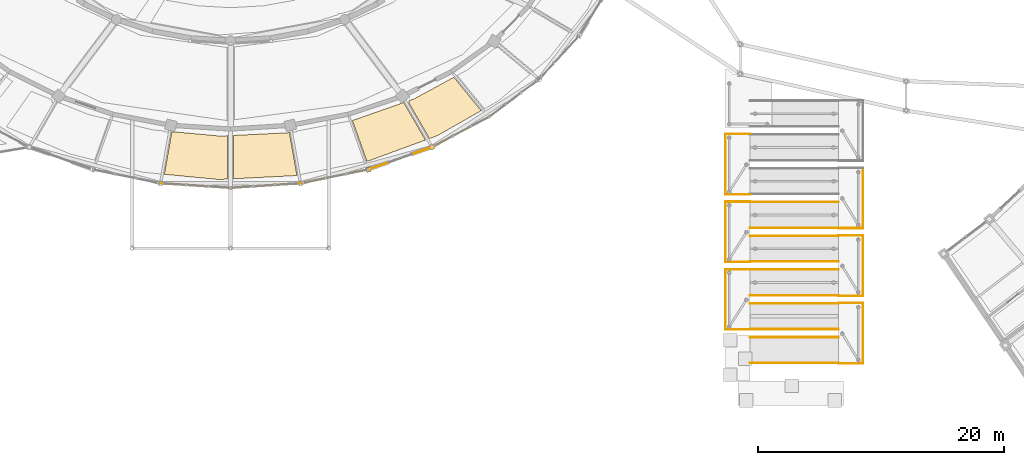
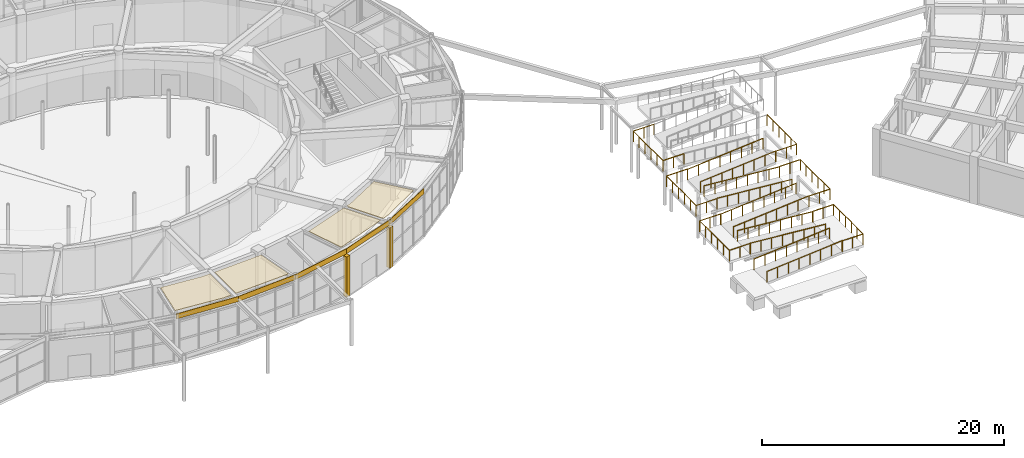
# One storey, part 101 of 108: 27 railings, 11 coverings.
"""IFC4 building model written with IfcOpenShell, lengths in metres."""

import ifcopenshell
import ifcopenshell.guid

model = None  # the IFC model being written
_history = None  # IfcOwnerHistory: only IFC2X3 demands one
_inside = {}  # id of a spatial element -> (the spatial element, [elements in it])
_under = {}  # id of a project, library or spatial element -> (it, [spatial elements below it])
_declared = {}  # id of a project -> (the project, [libraries it declares])
_typed = {}  # id of a type object -> (the type object, [elements of that type])
_made_of = {}  # id of a material, layer set ... -> (it, [elements and type objects made of it])


def new_model(schema):
    """Start an empty IFC model of exactly this schema.

    Asked for "IFC4X3", IfcOpenShell would pick the latest addendum, in which some entities
    have other attributes; the version numbers below select the first issue.
    IFC2X3 requires an IfcOwnerHistory on every rooted entity: one is made here for all.
    """
    global model, _history
    if schema == "IFC4X3":
        model = ifcopenshell.file(schema_version=(4, 3, 0, 0))
    else:
        model = ifcopenshell.file(schema=schema)
    _inside.clear()
    _under.clear()
    _declared.clear()
    _typed.clear()
    _made_of.clear()
    _history = None
    if model.schema == "IFC2X3":
        org = make("IfcOrganization", Name="unknown")
        user = make(
            "IfcPersonAndOrganization",
            ThePerson=make("IfcPerson", FamilyName="unknown"),
            TheOrganization=org,
        )
        app = make(
            "IfcApplication",
            ApplicationDeveloper=org,
            Version="unknown",
            ApplicationFullName="unknown",
            ApplicationIdentifier="unknown",
        )
        _history = make(
            "IfcOwnerHistory",
            OwningUser=user,
            OwningApplication=app,
            ChangeAction="ADDED",
            CreationDate=0,
        )
    return model


def make(cls, **values):
    """One entity of the class cls with the attributes given. An attribute that is None is left unset."""
    return model.create_entity(
        cls, **{name: value for name, value in values.items() if value is not None}
    )


def rooted(cls, **values):
    """An entity with a GlobalId (a new one), such as an element, a storey or a relation."""
    return make(cls, GlobalId=ifcopenshell.guid.new(), OwnerHistory=_history, **values)


def si_unit(unit_type, name, prefix=None):
    """IfcSIUnit, for example si_unit("LENGTHUNIT", "METRE", prefix="MILLI")."""
    return make("IfcSIUnit", UnitType=unit_type, Prefix=prefix, Name=name)


def assignment(units):
    """IfcUnitAssignment: the units of a project."""
    return None if units is None else make("IfcUnitAssignment", Units=units)


def point(xyz):
    """IfcCartesianPoint."""
    return None if xyz is None else make("IfcCartesianPoint", Coordinates=xyz)


def direction(xyz):
    """IfcDirection."""
    return None if xyz is None else make("IfcDirection", DirectionRatios=xyz)


def frame(location, z_axis=None, x_axis=None):
    """IfcAxis2Placement3D, a coordinate frame: its origin and axes. An axis left out is left unset."""
    return make(
        "IfcAxis2Placement3D",
        Location=point(location),
        Axis=direction(z_axis),
        RefDirection=direction(x_axis),
    )


def frame_2d(location, x_axis=None):
    """IfcAxis2Placement2D, a coordinate frame in the plane: its origin and x axis."""
    return make(
        "IfcAxis2Placement2D", Location=point(location), RefDirection=direction(x_axis)
    )


def origin():
    """The frame at (0, 0, 0) with its axes left unset."""
    return frame((0.0, 0.0, 0.0))


def origin_2d():
    """The frame at (0, 0) in the plane with its x axis left unset."""
    return frame_2d((0.0, 0.0))


def place(relative_to, where):
    """IfcLocalPlacement: puts the frame where relative to a parent placement (None: the world)."""
    return make(
        "IfcLocalPlacement", PlacementRelTo=relative_to, RelativePlacement=where
    )


def context(
    kind, dimensions, precision=None, world=None, true_north=None, identifier=None
):
    """IfcGeometricRepresentationContext, for example the 3D "Model" context."""
    return make(
        "IfcGeometricRepresentationContext",
        ContextIdentifier=identifier,
        ContextType=kind,
        CoordinateSpaceDimension=dimensions,
        Precision=precision,
        WorldCoordinateSystem=world,
        TrueNorth=true_north,
    )


def subcontext(parent, identifier, kind, view, scale=None):
    """IfcGeometricRepresentationSubContext, for example "Body" below "Model"."""
    return make(
        "IfcGeometricRepresentationSubContext",
        ContextIdentifier=identifier,
        ContextType=kind,
        ParentContext=parent,
        TargetScale=scale,
        TargetView=view,
    )


def project(units=None, contexts=None):
    """IfcProject with its units and contexts."""
    return rooted(
        "IfcProject",
        Name="project",
        RepresentationContexts=contexts,
        UnitsInContext=assignment(units),
    )


def spatial(cls, under=None, at=None, **own):
    """A site, building, storey or space (cls), placed at a placement, below another one or the project."""
    s = rooted(cls, ObjectPlacement=at, **own)
    if under is not None:
        _under.setdefault(under.id(), (under, []))[1].append(s)
    return s


def polyline(points):
    """IfcPolyline through the points."""
    return make("IfcPolyline", Points=[point(p) for p in points])


def profile(cls, at=None, kind="AREA", **sizes):
    """A parametric profile (cls). Its sizes go by their IFC names, for example OverallWidth=200.0."""
    return make(cls, ProfileType=kind, Position=at, **sizes)


def rectangle(**sizes):
    """IfcRectangleProfileDef."""
    return profile("IfcRectangleProfileDef", **sizes)


def circle(**sizes):
    """IfcCircleProfileDef."""
    return profile("IfcCircleProfileDef", **sizes)


def outline(outer, holes=None, kind="AREA"):
    """IfcArbitraryClosedProfileDef: a profile drawn as a closed curve; with holes, ...WithVoids."""
    if holes is None:
        return make("IfcArbitraryClosedProfileDef", ProfileType=kind, OuterCurve=outer)
    return make(
        "IfcArbitraryProfileDefWithVoids",
        ProfileType=kind,
        OuterCurve=outer,
        InnerCurves=holes,
    )


def extrude(swept, where, along, depth):
    """IfcExtrudedAreaSolid: the profile swept, set in the frame where, extruded along a direction by depth."""
    return make(
        "IfcExtrudedAreaSolid",
        SweptArea=swept,
        Position=where,
        ExtrudedDirection=direction(along),
        Depth=depth,
    )


def shape(context_of_items, identifier, shape_type, items):
    """IfcShapeRepresentation: the items that make up one representation, for example the "Body"."""
    return make(
        "IfcShapeRepresentation",
        ContextOfItems=context_of_items,
        RepresentationIdentifier=identifier,
        RepresentationType=shape_type,
        Items=items,
    )


def material(Name=None, Category=None):
    """IfcMaterial."""
    return make("IfcMaterial", Name=Name, Category=Category)


def layer(
    of_material, thickness, ventilated=None, Name=None, Category=None, Priority=None
):
    """IfcMaterialLayer: one layer of a wall or slab, of a material (None: an air gap)."""
    return make(
        "IfcMaterialLayer",
        Material=of_material,
        LayerThickness=thickness,
        IsVentilated=ventilated,
        Name=Name,
        Category=Category,
        Priority=Priority,
    )


def layer_set(layers, Name=None):
    """IfcMaterialLayerSet."""
    return make("IfcMaterialLayerSet", MaterialLayers=layers, LayerSetName=Name)


def made_of(thing, what):
    """Note that an element or type object is made of a material, layer set ...; save() writes the relation."""
    if what is not None:
        _made_of.setdefault(what.id(), (what, []))[1].append(thing)
    return thing


def type_object(cls, material=None, **own):
    """A type object (cls), such as IfcWallType, which elements share."""
    return made_of(rooted(cls, **own), material)


def element(
    cls,
    number,
    at=None,
    inside=None,
    cuts=None,
    type_object=None,
    material=None,
    context=None,
    identifier="Body",
    shape_type=None,
    held_by="IfcProductDefinitionShape",
    body=None,
    shapes=None,
    **own,
):
    """One element of the class cls, such as IfcWall. Its Tag is "e" and its number.

    at: its placement. inside: the storey or other place that contains it. cuts: it is an
    opening in that element (IfcRelVoidsElement). A single representation is given by context,
    identifier, shape_type and body (its items); several are given by shapes. held_by: the class
    of the entity that holds the representations. save() writes the other relations.
    """
    e = rooted(cls, Tag="e%d" % number, ObjectPlacement=at, **own)
    if body is not None:
        shapes = [shape(context, identifier, shape_type, body)]
    if shapes is not None:
        e.Representation = make(held_by, Representations=shapes)
    if inside is not None:
        _inside.setdefault(inside.id(), (inside, []))[1].append(e)
    if cuts is not None:
        rooted(
            "IfcRelVoidsElement", RelatingBuildingElement=cuts, RelatedOpeningElement=e
        )
    if type_object is not None:
        _typed.setdefault(type_object.id(), (type_object, []))[1].append(e)
    return made_of(e, material)


def aggregate(whole, parts):
    """IfcRelAggregates: a whole, such as a stair, and the parts it consists of."""
    return rooted("IfcRelAggregates", RelatingObject=whole, RelatedObjects=parts)


def save(model, path):
    """Write the relations noted so far, then the file.

    IfcRelAggregates (storeys below a building ...), IfcRelContainedInSpatialStructure (elements
    in a storey), IfcRelDefinesByType, IfcRelAssociatesMaterial and IfcRelDeclares: one each for
    every whole, place, type object, material and project.
    """
    for whole, parts in _under.values():
        aggregate(whole, parts)
    for where, things in _inside.values():
        rooted(
            "IfcRelContainedInSpatialStructure",
            RelatedElements=things,
            RelatingStructure=where,
        )
    for kind, things in _typed.values():
        rooted("IfcRelDefinesByType", RelatedObjects=things, RelatingType=kind)
    for what, things in _made_of.values():
        rooted("IfcRelAssociatesMaterial", RelatedObjects=things, RelatingMaterial=what)
    for by, libraries in _declared.values():
        rooted("IfcRelDeclares", RelatingContext=by, RelatedDefinitions=libraries)
    model.write(path)


model = new_model("IFC4")

# Units and contexts
model_context = context("Model", 3, precision=1e-05, world=origin(), true_north=direction((0.0, 1.0)))
body_context = subcontext(model_context, "Body", "Model", "MODEL_VIEW")
ifc_project = project(units=[si_unit("LENGTHUNIT", "METRE"), si_unit("AREAUNIT", "SQUARE_METRE"), si_unit("VOLUMEUNIT", "CUBIC_METRE"), si_unit("PLANEANGLEUNIT", "RADIAN"), si_unit("MASSUNIT", "GRAM", prefix="KILO")], contexts=[model_context])

# Site, building, storey
site_placement = place(None, origin())
site = spatial("IfcSite", under=ifc_project, at=site_placement, CompositionType="ELEMENT")
building_placement = place(site_placement, origin())
building = spatial("IfcBuilding", under=site, at=building_placement, Name="Tarnveldt Headland Concert Hall", CompositionType="ELEMENT")
storey_placement = place(building_placement, origin())
storey = spatial("IfcBuildingStorey", under=building, at=storey_placement, Name="L00", CompositionType="ELEMENT", Elevation=0.0)

# Coverings
ifc_material_1 = material(Name="Micro-perforated mvule acoustic ceiling panel", Category="timber")
ifc_layer_1 = layer(ifc_material_1, 0.050048828125, Name="Micro-perforated mvule acoustic ceiling panel", Category="timber")
ifc_layer_set_1 = layer_set([ifc_layer_1], Name="Micro-perforated mvule acoustic ceiling panel")
covering_type_1 = type_object("IfcCoveringType", Name="CV-CEIL50", PredefinedType="CEILING", material=ifc_layer_set_1)
covering_1_placement = place(storey_placement, frame((0.0, 0.0, 4.469970703125)))
element("IfcCovering", 1, at=covering_1_placement, inside=storey, type_object=covering_type_1, Name="Acoustic mvule ceiling L00-12-16", PredefinedType="CEILING", context=body_context, shape_type="SweptSolid", body=[
    extrude(outline(polyline([(78.821533203125, 34.27880859375), (82.64111328125, 33.9296875), (82.666259765625, 33.92919921875), (83.27001953125, 33.95849609375), (83.27001953125, 30.427734375), (82.5458984375, 30.39111328125), (78.1123046875, 30.8154296875), (78.72314453125, 34.27880859375), (78.821533203125, 34.27880859375)])), origin(), (0.0, 0.0, 1.0), 0.050048828125),
])
covering_2_placement = place(storey_placement, frame((0.0, 0.0, 4.469970703125)))
element("IfcCovering", 2, at=covering_2_placement, inside=storey, type_object=covering_type_1, Name="Acoustic mvule ceiling L00-12-17", PredefinedType="CEILING", context=body_context, shape_type="SweptSolid", body=[
    extrude(outline(polyline([(88.28759765625, 34.21923828125), (88.90185546875, 30.7353515625), (88.7529296875, 30.705322265625), (83.72998046875, 30.451171875), (83.72998046875, 33.980712890625), (88.147216796875, 34.194091796875), (88.17236328125, 34.197021484375), (88.28759765625, 34.21923828125)])), origin(), (0.0, 0.0, 1.0), 0.050048828125),
])
covering_3_placement = place(storey_placement, frame((0.0, 0.0, 4.469970703125)))
element("IfcCovering", 3, at=covering_3_placement, inside=storey, type_object=covering_type_1, Name="Acoustic mvule ceiling L00-12-18", PredefinedType="CEILING", context=body_context, shape_type="SweptSolid", body=[
    extrude(outline(polyline([(93.479736328125, 35.215087890625), (93.492919921875, 35.218017578125), (93.505615234375, 35.22216796875), (97.585205078125, 36.654541015625), (97.60107421875, 36.654541015625), (99.3623046875, 33.60400390625), (94.7626953125, 31.91259765625), (94.595703125, 31.879150390625), (93.4189453125, 35.203369140625), (93.479736328125, 35.215087890625)])), origin(), (0.0, 0.0, 1.0), 0.050048828125),
])
covering_4_placement = place(storey_placement, frame((0.0, 0.0, 4.469970703125)))
element("IfcCovering", 4, at=covering_4_placement, inside=storey, type_object=covering_type_1, Name="Acoustic mvule ceiling L00-12-19", PredefinedType="CEILING", context=body_context, shape_type="SweptSolid", body=[
    extrude(outline(polyline([(99.695556640625, 33.726806640625), (98.005126953125, 36.654541015625), (98.02490234375, 36.654541015625), (98.02490234375, 36.80908203125), (98.44091796875, 36.955078125), (98.454345703125, 36.960205078125), (98.46728515625, 36.966796875), (101.677490234375, 38.7138671875), (103.899658203125, 35.990966796875), (100.348388671875, 33.966796875), (99.695556640625, 33.726806640625)])), origin(), (0.0, 0.0, 1.0), 0.050048828125),
])
ifc_material_2 = material(Name="Treated East African mvule hardwood", Category="wood")
ifc_layer_2 = layer(ifc_material_2, 0.044921875, Name="Treated East African mvule hardwood", Category="wood")
ifc_layer_set_2 = layer_set([ifc_layer_2], Name="Treated East African mvule hardwood")
covering_type_2 = type_object("IfcCoveringType", Name="CV-CLAD45", PredefinedType="CLADDING", material=ifc_layer_set_2)
for number, where, z_axis, x_axis, name in (
    (5, (77.80419921875, 30.076904296875, 4.219970703125), (0.0, 0.0, 1.0), (0.997817213059, -0.066036424216, 0.0), "Mvule hardwood fascia band L00-27"),
    (6, (83.5, 29.699951171875, 4.219970703125), (0.0, 0.0, 1.0), (0.997817213059, 0.066036424216, 0.0), "Mvule hardwood fascia band L00-28"),
):
    element("IfcCovering", number, at=place(storey_placement, frame(where, z_axis=z_axis, x_axis=x_axis)), inside=storey, type_object=covering_type_2, Name=name, PredefinedType="CLADDING", context=body_context, shape_type="SweptSolid", body=[
        extrude(rectangle(XDim=5.708251953125, YDim=0.044921875, at=frame_2d((2.85400390625, 0.0))), origin(), (0.0, 0.0, 1.0), 0.52001953125),
    ])
covering_5_placement = place(storey_placement, frame((89.19580078125, 30.076904296875, 4.219970703125), z_axis=(0.0, 0.0, 1.0), x_axis=(0.980094417088, 0.198531946026, 0.0)))
element("IfcCovering", 7, at=covering_5_placement, inside=storey, type_object=covering_type_2, Name="Mvule hardwood fascia band L00-29", PredefinedType="CLADDING", context=body_context, shape_type="SweptSolid", body=[
    extrude(rectangle(XDim=5.634521484375, YDim=0.044921875, at=frame_2d((2.8173828125, 0.0))), origin(), (0.0, 0.0, 1.0), 0.52001953125),
])
covering_6_placement = place(storey_placement, frame((94.71826171875, 31.195556640625, 4.219970703125), z_axis=(0.0, 0.0, 1.0), x_axis=(0.943085453999, 0.332550487077, 0.0)))
element("IfcCovering", 8, at=covering_6_placement, inside=storey, type_object=covering_type_2, Name="Mvule hardwood fascia band L00-30", PredefinedType="CLADDING", context=body_context, shape_type="SweptSolid", body=[
    extrude(rectangle(XDim=5.494384765625, YDim=0.044921875, at=frame_2d((2.7470703125, 0.0))), origin(), (0.0, 0.0, 1.0), 0.52001953125),
])
covering_7_placement = place(storey_placement, frame((99.89990234375, 33.022705078125, 4.219970703125), z_axis=(0.0, 0.0, 1.0), x_axis=(0.88379239872, 0.467879253617, 0.0)))
element("IfcCovering", 9, at=covering_7_placement, inside=storey, type_object=covering_type_2, Name="Mvule hardwood fascia band L00-31", PredefinedType="CLADDING", context=body_context, shape_type="SweptSolid", body=[
    extrude(rectangle(XDim=5.29931640625, YDim=0.044921875, at=frame_2d((2.649658203125, 0.0))), origin(), (0.0, 0.0, 1.0), 0.52001953125),
])
ifc_material_3 = material(Name="Coral-toned precast concrete C40/50", Category="concrete")
ifc_layer_3 = layer(ifc_material_3, 0.360107421875, Name="Coral-toned precast concrete C40/50", Category="concrete")
ifc_layer_set_3 = layer_set([ifc_layer_3], Name="Coral-toned precast concrete C40/50")
covering_type_3 = type_object("IfcCoveringType", Name="CV-JNT360", PredefinedType="CLADDING", material=ifc_layer_set_3)
for number, where, z_axis, x_axis, name in (
    (10, (94.71826171875, 31.195556640625, 0.0), (0.0, 0.0, 1.0), (-0.943106654378, -0.33249035846, 0.0), "Precast facade joint closure pilaster L00-153"),
    (11, (99.89990234375, 33.022705078125, 0.0), (0.0, 0.0, 1.0), (-0.943106654378, -0.33249035846, 0.0), "Precast facade joint closure pilaster L00-155"),
):
    element("IfcCovering", number, at=place(storey_placement, frame(where, z_axis=z_axis, x_axis=x_axis)), inside=storey, type_object=covering_type_3, Name=name, PredefinedType="CLADDING", context=body_context, shape_type="SweptSolid", body=[
        extrude(rectangle(XDim=0.3798828125, YDim=0.3798828125, at=origin_2d()), origin(), (0.0, 0.0, 1.0), 4.05810546875),
    ])

# Railings
ifc_material_4 = material(Name="Marine stainless steel", Category="steel")
ifc_layer_4 = layer(ifc_material_4, 0.074951171875, Name="Marine stainless steel", Category="steel")
ifc_layer_set_4 = layer_set([ifc_layer_4], Name="Marine stainless steel")
railing_type = type_object("IfcRailingType", Name="RL-BAL110", PredefinedType="BALUSTRADE", material=ifc_layer_set_4)
for number, where, name in (
    (12, (125.800048828125, 15.449951171875, 0.0), "GUARD Forecourt ramp guardrail 1S"),
    (13, (125.800048828125, 17.550048828125, 0.0), "GUARD Forecourt ramp guardrail 1N"),
):
    element("IfcRailing", number, at=place(storey_placement, frame(where)), inside=storey, type_object=railing_type, Name=name, PredefinedType="BALUSTRADE", context=body_context, shape_type="SweptSolid", body=[
        extrude(circle(Radius=0.02392578125, at=origin_2d()), frame((0.0, 0.0, 1.076171875), z_axis=(0.996544592923, 0.0, 0.083059462528), x_axis=(0.0, 1.0, 0.0)), (0.0, 0.0, 1.0), 7.224853515625),
        extrude(circle(Radius=0.02099609375, at=origin_2d()), origin(), (0.0, 0.0, 1.0), 1.052001953125),
        extrude(circle(Radius=0.02099609375, at=origin_2d()), frame((1.028564453125, 0.0, 0.085693359375)), (0.0, 0.0, 1.0), 1.052001953125),
        extrude(circle(Radius=0.02099609375, at=origin_2d()), frame((2.05712890625, 0.0, 0.17138671875)), (0.0, 0.0, 1.0), 1.052001953125),
        extrude(circle(Radius=0.02099609375, at=origin_2d()), frame((3.085693359375, 0.0, 0.257080078125)), (0.0, 0.0, 1.0), 1.052001953125),
        extrude(circle(Radius=0.02099609375, at=origin_2d()), frame((4.1142578125, 0.0, 0.343017578125)), (0.0, 0.0, 1.0), 1.052001953125),
        extrude(circle(Radius=0.02099609375, at=origin_2d()), frame((5.142822265625, 0.0, 0.4287109375)), (0.0, 0.0, 1.0), 1.052001953125),
        extrude(circle(Radius=0.02099609375, at=origin_2d()), frame((6.17138671875, 0.0, 0.514404296875)), (0.0, 0.0, 1.0), 1.052001953125),
        extrude(circle(Radius=0.02099609375, at=origin_2d()), frame((7.199951171875, 0.0, 0.60009765625)), (0.0, 0.0, 1.0), 1.052001953125),
    ])
railing_1_placement = place(storey_placement, frame((133.0, 15.419921875, 0.60009765625)))
element("IfcRailing", 14, at=railing_1_placement, inside=storey, type_object=railing_type, Name="GUARD Forecourt ramp landing balustrade 1 1", PredefinedType="BALUSTRADE", context=body_context, shape_type="SweptSolid", body=[
    extrude(circle(Radius=0.02392578125, at=origin_2d()), frame((0.0, 0.0, 1.076171875), z_axis=(1.0, 0.0, 0.0), x_axis=(0.0, 1.0, 0.0)), (0.0, 0.0, 1.0), 2.0),
    extrude(circle(Radius=0.02099609375, at=origin_2d()), origin(), (0.0, 0.0, 1.0), 1.052001953125),
    extrude(circle(Radius=0.02099609375, at=origin_2d()), frame((1.0, 0.0, 0.0)), (0.0, 0.0, 1.0), 1.052001953125),
    extrude(circle(Radius=0.02099609375, at=origin_2d()), frame((2.0, 0.0, 0.0)), (0.0, 0.0, 1.0), 1.052001953125),
])
railing_2_placement = place(storey_placement, frame((135.0, 15.419921875, 0.60009765625)))
element("IfcRailing", 15, at=railing_2_placement, inside=storey, type_object=railing_type, Name="GUARD Forecourt ramp landing balustrade 1 2", PredefinedType="BALUSTRADE", context=body_context, shape_type="SweptSolid", body=[
    extrude(circle(Radius=0.02392578125, at=origin_2d()), frame((0.0, 0.0, 1.076171875), z_axis=(0.0, 1.0, 0.0), x_axis=(-1.0, 0.0, 0.0)), (0.0, 0.0, 1.0), 4.91015625),
    extrude(circle(Radius=0.02099609375, at=origin_2d()), origin(), (0.0, 0.0, 1.0), 1.052001953125),
    extrude(circle(Radius=0.02099609375, at=origin_2d()), frame((0.0, 0.98193359375, 0.0)), (0.0, 0.0, 1.0), 1.052001953125),
    extrude(circle(Radius=0.02099609375, at=origin_2d()), frame((0.0, 1.964111328125, 0.0)), (0.0, 0.0, 1.0), 1.052001953125),
    extrude(circle(Radius=0.02099609375, at=origin_2d()), frame((0.0, 2.946044921875, 0.0)), (0.0, 0.0, 1.0), 1.052001953125),
    extrude(circle(Radius=0.02099609375, at=origin_2d()), frame((0.0, 3.92822265625, 0.0)), (0.0, 0.0, 1.0), 1.052001953125),
    extrude(circle(Radius=0.02099609375, at=origin_2d()), frame((0.0, 4.91015625, 0.0)), (0.0, 0.0, 1.0), 1.052001953125),
])
railing_3_placement = place(storey_placement, frame((135.0, 20.330078125, 0.60009765625)))
element("IfcRailing", 16, at=railing_3_placement, inside=storey, type_object=railing_type, Name="GUARD Forecourt ramp landing balustrade 1 3", PredefinedType="BALUSTRADE", context=body_context, shape_type="SweptSolid", body=[
    extrude(circle(Radius=0.02392578125, at=origin_2d()), frame((0.0, 0.0, 1.076171875), z_axis=(-1.0, 0.0, 0.0), x_axis=(0.0, -1.0, 0.0)), (0.0, 0.0, 1.0), 2.0),
    extrude(circle(Radius=0.02099609375, at=origin_2d()), origin(), (0.0, 0.0, 1.0), 1.052001953125),
    extrude(circle(Radius=0.02099609375, at=origin_2d()), frame((-1.0, 0.0, 0.0)), (0.0, 0.0, 1.0), 1.052001953125),
    extrude(circle(Radius=0.02099609375, at=origin_2d()), frame((-2.0, 0.0, 0.0)), (0.0, 0.0, 1.0), 1.052001953125),
])
for number, where, name in (
    (17, (133.0, 18.199951171875, 0.60009765625), "GUARD Forecourt ramp guardrail 2S"),
    (18, (133.0, 20.300048828125, 0.60009765625), "GUARD Forecourt ramp guardrail 2N"),
):
    element("IfcRailing", number, at=place(storey_placement, frame(where)), inside=storey, type_object=railing_type, Name=name, PredefinedType="BALUSTRADE", context=body_context, shape_type="SweptSolid", body=[
        extrude(circle(Radius=0.02392578125, at=origin_2d()), frame((0.0, 0.0, 1.076171875), z_axis=(-0.99654738937, 0.0, 0.083025904028), x_axis=(0.0, -1.0, 0.0)), (0.0, 0.0, 1.0), 7.224853515625),
        extrude(circle(Radius=0.02099609375, at=origin_2d()), origin(), (0.0, 0.0, 1.0), 1.052001953125),
        extrude(circle(Radius=0.02099609375, at=origin_2d()), frame((-1.028564453125, 0.0, 0.085693359375)), (0.0, 0.0, 1.0), 1.052001953125),
        extrude(circle(Radius=0.02099609375, at=origin_2d()), frame((-2.05712890625, 0.0, 0.17138671875)), (0.0, 0.0, 1.0), 1.052001953125),
        extrude(circle(Radius=0.02099609375, at=origin_2d()), frame((-3.085693359375, 0.0, 0.257080078125)), (0.0, 0.0, 1.0), 1.052001953125),
        extrude(circle(Radius=0.02099609375, at=origin_2d()), frame((-4.1142578125, 0.0, 0.3427734375)), (0.0, 0.0, 1.0), 1.052001953125),
        extrude(circle(Radius=0.02099609375, at=origin_2d()), frame((-5.142822265625, 0.0, 0.428466796875)), (0.0, 0.0, 1.0), 1.052001953125),
        extrude(circle(Radius=0.02099609375, at=origin_2d()), frame((-6.17138671875, 0.0, 0.51416015625)), (0.0, 0.0, 1.0), 1.052001953125),
        extrude(circle(Radius=0.02099609375, at=origin_2d()), frame((-7.199951171875, 0.0, 0.599853515625)), (0.0, 0.0, 1.0), 1.052001953125),
    ])
railing_4_placement = place(storey_placement, frame((125.800048828125, 18.169921875, 1.199951171875)))
element("IfcRailing", 19, at=railing_4_placement, inside=storey, type_object=railing_type, Name="GUARD Forecourt ramp landing balustrade 2 1", PredefinedType="BALUSTRADE", context=body_context, shape_type="SweptSolid", body=[
    extrude(circle(Radius=0.02392578125, at=origin_2d()), frame((0.0, 0.0, 1.076171875), z_axis=(-1.0, 0.0, 0.0), x_axis=(0.0, -1.0, 0.0)), (0.0, 0.0, 1.0), 2.0),
    extrude(circle(Radius=0.02099609375, at=origin_2d()), origin(), (0.0, 0.0, 1.0), 1.052001953125),
    extrude(circle(Radius=0.02099609375, at=origin_2d()), frame((-1.0, 0.0, 0.0)), (0.0, 0.0, 1.0), 1.052001953125),
    extrude(circle(Radius=0.02099609375, at=origin_2d()), frame((-2.0, 0.0, 0.0)), (0.0, 0.0, 1.0), 1.052001953125),
])
railing_5_placement = place(storey_placement, frame((123.800048828125, 18.169921875, 1.199951171875)))
element("IfcRailing", 20, at=railing_5_placement, inside=storey, type_object=railing_type, Name="GUARD Forecourt ramp landing balustrade 2 2", PredefinedType="BALUSTRADE", context=body_context, shape_type="SweptSolid", body=[
    extrude(circle(Radius=0.02392578125, at=origin_2d()), frame((0.0, 0.0, 1.076171875), z_axis=(0.0, 1.0, 0.0), x_axis=(-1.0, 0.0, 0.0)), (0.0, 0.0, 1.0), 4.91015625),
    extrude(circle(Radius=0.02099609375, at=origin_2d()), origin(), (0.0, 0.0, 1.0), 1.052001953125),
    extrude(circle(Radius=0.02099609375, at=origin_2d()), frame((0.0, 0.98193359375, 0.0)), (0.0, 0.0, 1.0), 1.052001953125),
    extrude(circle(Radius=0.02099609375, at=origin_2d()), frame((0.0, 1.964111328125, 0.0)), (0.0, 0.0, 1.0), 1.052001953125),
    extrude(circle(Radius=0.02099609375, at=origin_2d()), frame((0.0, 2.946044921875, 0.0)), (0.0, 0.0, 1.0), 1.052001953125),
    extrude(circle(Radius=0.02099609375, at=origin_2d()), frame((0.0, 3.92822265625, 0.0)), (0.0, 0.0, 1.0), 1.052001953125),
    extrude(circle(Radius=0.02099609375, at=origin_2d()), frame((0.0, 4.91015625, 0.0)), (0.0, 0.0, 1.0), 1.052001953125),
])
railing_6_placement = place(storey_placement, frame((123.800048828125, 23.080078125, 1.199951171875)))
element("IfcRailing", 21, at=railing_6_placement, inside=storey, type_object=railing_type, Name="GUARD Forecourt ramp landing balustrade 2 3", PredefinedType="BALUSTRADE", context=body_context, shape_type="SweptSolid", body=[
    extrude(circle(Radius=0.02392578125, at=origin_2d()), frame((0.0, 0.0, 1.076171875), z_axis=(1.0, 0.0, 0.0), x_axis=(0.0, 1.0, 0.0)), (0.0, 0.0, 1.0), 2.0),
    extrude(circle(Radius=0.02099609375, at=origin_2d()), origin(), (0.0, 0.0, 1.0), 1.052001953125),
    extrude(circle(Radius=0.02099609375, at=origin_2d()), frame((1.0, 0.0, 0.0)), (0.0, 0.0, 1.0), 1.052001953125),
    extrude(circle(Radius=0.02099609375, at=origin_2d()), frame((2.0, 0.0, 0.0)), (0.0, 0.0, 1.0), 1.052001953125),
])
for number, where, name in (
    (22, (125.800048828125, 20.949951171875, 1.199951171875), "GUARD Forecourt ramp guardrail 3S"),
    (23, (125.800048828125, 23.050048828125, 1.199951171875), "GUARD Forecourt ramp guardrail 3N"),
):
    element("IfcRailing", number, at=place(storey_placement, frame(where)), inside=storey, type_object=railing_type, Name=name, PredefinedType="BALUSTRADE", context=body_context, shape_type="SweptSolid", body=[
        extrude(circle(Radius=0.02392578125, at=origin_2d()), frame((0.0, 0.0, 1.076171875), z_axis=(0.996544592923, 0.0, 0.083059462528), x_axis=(0.0, 1.0, 0.0)), (0.0, 0.0, 1.0), 7.224853515625),
        extrude(circle(Radius=0.02099609375, at=origin_2d()), origin(), (0.0, 0.0, 1.0), 1.052001953125),
        extrude(circle(Radius=0.02099609375, at=origin_2d()), frame((1.028564453125, 0.0, 0.085693359375)), (0.0, 0.0, 1.0), 1.052001953125),
        extrude(circle(Radius=0.02099609375, at=origin_2d()), frame((2.05712890625, 0.0, 0.17138671875)), (0.0, 0.0, 1.0), 1.052001953125),
        extrude(circle(Radius=0.02099609375, at=origin_2d()), frame((3.085693359375, 0.0, 0.257080078125)), (0.0, 0.0, 1.0), 1.052001953125),
        extrude(circle(Radius=0.02099609375, at=origin_2d()), frame((4.1142578125, 0.0, 0.343017578125)), (0.0, 0.0, 1.0), 1.052001953125),
        extrude(circle(Radius=0.02099609375, at=origin_2d()), frame((5.142822265625, 0.0, 0.4287109375)), (0.0, 0.0, 1.0), 1.052001953125),
        extrude(circle(Radius=0.02099609375, at=origin_2d()), frame((6.17138671875, 0.0, 0.514404296875)), (0.0, 0.0, 1.0), 1.052001953125),
        extrude(circle(Radius=0.02099609375, at=origin_2d()), frame((7.199951171875, 0.0, 0.60009765625)), (0.0, 0.0, 1.0), 1.052001953125),
    ])
railing_7_placement = place(storey_placement, frame((133.0, 20.919921875, 1.800048828125)))
element("IfcRailing", 24, at=railing_7_placement, inside=storey, type_object=railing_type, Name="GUARD Forecourt ramp landing balustrade 3 1", PredefinedType="BALUSTRADE", context=body_context, shape_type="SweptSolid", body=[
    extrude(circle(Radius=0.02392578125, at=origin_2d()), frame((0.0, 0.0, 1.076171875), z_axis=(1.0, 0.0, 0.0), x_axis=(0.0, 1.0, 0.0)), (0.0, 0.0, 1.0), 2.0),
    extrude(circle(Radius=0.02099609375, at=origin_2d()), origin(), (0.0, 0.0, 1.0), 1.052001953125),
    extrude(circle(Radius=0.02099609375, at=origin_2d()), frame((1.0, 0.0, 0.0)), (0.0, 0.0, 1.0), 1.052001953125),
    extrude(circle(Radius=0.02099609375, at=origin_2d()), frame((2.0, 0.0, 0.0)), (0.0, 0.0, 1.0), 1.052001953125),
])
railing_8_placement = place(storey_placement, frame((135.0, 20.919921875, 1.800048828125)))
element("IfcRailing", 25, at=railing_8_placement, inside=storey, type_object=railing_type, Name="GUARD Forecourt ramp landing balustrade 3 2", PredefinedType="BALUSTRADE", context=body_context, shape_type="SweptSolid", body=[
    extrude(circle(Radius=0.02392578125, at=origin_2d()), frame((0.0, 0.0, 1.076171875), z_axis=(0.0, 1.0, 0.0), x_axis=(-1.0, 0.0, 0.0)), (0.0, 0.0, 1.0), 4.91015625),
    extrude(circle(Radius=0.02099609375, at=origin_2d()), origin(), (0.0, 0.0, 1.0), 1.052001953125),
    extrude(circle(Radius=0.02099609375, at=origin_2d()), frame((0.0, 0.98193359375, 0.0)), (0.0, 0.0, 1.0), 1.052001953125),
    extrude(circle(Radius=0.02099609375, at=origin_2d()), frame((0.0, 1.964111328125, 0.0)), (0.0, 0.0, 1.0), 1.052001953125),
    extrude(circle(Radius=0.02099609375, at=origin_2d()), frame((0.0, 2.946044921875, 0.0)), (0.0, 0.0, 1.0), 1.052001953125),
    extrude(circle(Radius=0.02099609375, at=origin_2d()), frame((0.0, 3.92822265625, 0.0)), (0.0, 0.0, 1.0), 1.052001953125),
    extrude(circle(Radius=0.02099609375, at=origin_2d()), frame((0.0, 4.91015625, 0.0)), (0.0, 0.0, 1.0), 1.052001953125),
])
railing_9_placement = place(storey_placement, frame((135.0, 25.830078125, 1.800048828125)))
element("IfcRailing", 26, at=railing_9_placement, inside=storey, type_object=railing_type, Name="GUARD Forecourt ramp landing balustrade 3 3", PredefinedType="BALUSTRADE", context=body_context, shape_type="SweptSolid", body=[
    extrude(circle(Radius=0.02392578125, at=origin_2d()), frame((0.0, 0.0, 1.076171875), z_axis=(-1.0, 0.0, 0.0), x_axis=(0.0, -1.0, 0.0)), (0.0, 0.0, 1.0), 2.0),
    extrude(circle(Radius=0.02099609375, at=origin_2d()), origin(), (0.0, 0.0, 1.0), 1.052001953125),
    extrude(circle(Radius=0.02099609375, at=origin_2d()), frame((-1.0, 0.0, 0.0)), (0.0, 0.0, 1.0), 1.052001953125),
    extrude(circle(Radius=0.02099609375, at=origin_2d()), frame((-2.0, 0.0, 0.0)), (0.0, 0.0, 1.0), 1.052001953125),
])
for number, where, name in (
    (27, (133.0, 23.699951171875, 1.800048828125), "GUARD Forecourt ramp guardrail 4S"),
    (28, (133.0, 25.800048828125, 1.800048828125), "GUARD Forecourt ramp guardrail 4N"),
):
    element("IfcRailing", number, at=place(storey_placement, frame(where)), inside=storey, type_object=railing_type, Name=name, PredefinedType="BALUSTRADE", context=body_context, shape_type="SweptSolid", body=[
        extrude(circle(Radius=0.02392578125, at=origin_2d()), frame((0.0, 0.0, 1.076171875), z_axis=(-0.99654738937, 0.0, 0.083025904028), x_axis=(0.0, -1.0, 0.0)), (0.0, 0.0, 1.0), 7.224853515625),
        extrude(circle(Radius=0.02099609375, at=origin_2d()), origin(), (0.0, 0.0, 1.0), 1.052001953125),
        extrude(circle(Radius=0.02099609375, at=origin_2d()), frame((-1.028564453125, 0.0, 0.085693359375)), (0.0, 0.0, 1.0), 1.052001953125),
        extrude(circle(Radius=0.02099609375, at=origin_2d()), frame((-2.05712890625, 0.0, 0.17138671875)), (0.0, 0.0, 1.0), 1.052001953125),
        extrude(circle(Radius=0.02099609375, at=origin_2d()), frame((-3.085693359375, 0.0, 0.257080078125)), (0.0, 0.0, 1.0), 1.052001953125),
        extrude(circle(Radius=0.02099609375, at=origin_2d()), frame((-4.1142578125, 0.0, 0.3427734375)), (0.0, 0.0, 1.0), 1.052001953125),
        extrude(circle(Radius=0.02099609375, at=origin_2d()), frame((-5.142822265625, 0.0, 0.428466796875)), (0.0, 0.0, 1.0), 1.052001953125),
        extrude(circle(Radius=0.02099609375, at=origin_2d()), frame((-6.17138671875, 0.0, 0.51416015625)), (0.0, 0.0, 1.0), 1.052001953125),
        extrude(circle(Radius=0.02099609375, at=origin_2d()), frame((-7.199951171875, 0.0, 0.599853515625)), (0.0, 0.0, 1.0), 1.052001953125),
    ])
railing_10_placement = place(storey_placement, frame((125.800048828125, 23.669921875, 2.39990234375)))
element("IfcRailing", 29, at=railing_10_placement, inside=storey, type_object=railing_type, Name="GUARD Forecourt ramp landing balustrade 4 1", PredefinedType="BALUSTRADE", context=body_context, shape_type="SweptSolid", body=[
    extrude(circle(Radius=0.02392578125, at=origin_2d()), frame((0.0, 0.0, 1.076171875), z_axis=(-1.0, 0.0, 0.0), x_axis=(0.0, -1.0, 0.0)), (0.0, 0.0, 1.0), 2.0),
    extrude(circle(Radius=0.02099609375, at=origin_2d()), origin(), (0.0, 0.0, 1.0), 1.052001953125),
    extrude(circle(Radius=0.02099609375, at=origin_2d()), frame((-1.0, 0.0, 0.0)), (0.0, 0.0, 1.0), 1.052001953125),
    extrude(circle(Radius=0.02099609375, at=origin_2d()), frame((-2.0, 0.0, 0.0)), (0.0, 0.0, 1.0), 1.052001953125),
])
railing_11_placement = place(storey_placement, frame((123.800048828125, 23.669921875, 2.39990234375)))
element("IfcRailing", 30, at=railing_11_placement, inside=storey, type_object=railing_type, Name="GUARD Forecourt ramp landing balustrade 4 2", PredefinedType="BALUSTRADE", context=body_context, shape_type="SweptSolid", body=[
    extrude(circle(Radius=0.02392578125, at=origin_2d()), frame((0.0, 0.0, 1.076171875), z_axis=(0.0, 1.0, 0.0), x_axis=(-1.0, 0.0, 0.0)), (0.0, 0.0, 1.0), 4.91015625),
    extrude(circle(Radius=0.02099609375, at=origin_2d()), origin(), (0.0, 0.0, 1.0), 1.052001953125),
    extrude(circle(Radius=0.02099609375, at=origin_2d()), frame((0.0, 0.98193359375, 0.0)), (0.0, 0.0, 1.0), 1.052001953125),
    extrude(circle(Radius=0.02099609375, at=origin_2d()), frame((0.0, 1.964111328125, 0.0)), (0.0, 0.0, 1.0), 1.052001953125),
    extrude(circle(Radius=0.02099609375, at=origin_2d()), frame((0.0, 2.946044921875, 0.0)), (0.0, 0.0, 1.0), 1.052001953125),
    extrude(circle(Radius=0.02099609375, at=origin_2d()), frame((0.0, 3.92822265625, 0.0)), (0.0, 0.0, 1.0), 1.052001953125),
    extrude(circle(Radius=0.02099609375, at=origin_2d()), frame((0.0, 4.91015625, 0.0)), (0.0, 0.0, 1.0), 1.052001953125),
])
railing_12_placement = place(storey_placement, frame((123.800048828125, 28.580078125, 2.39990234375)))
element("IfcRailing", 31, at=railing_12_placement, inside=storey, type_object=railing_type, Name="GUARD Forecourt ramp landing balustrade 4 3", PredefinedType="BALUSTRADE", context=body_context, shape_type="SweptSolid", body=[
    extrude(circle(Radius=0.02392578125, at=origin_2d()), frame((0.0, 0.0, 1.076171875), z_axis=(1.0, 0.0, 0.0), x_axis=(0.0, 1.0, 0.0)), (0.0, 0.0, 1.0), 2.0),
    extrude(circle(Radius=0.02099609375, at=origin_2d()), origin(), (0.0, 0.0, 1.0), 1.052001953125),
    extrude(circle(Radius=0.02099609375, at=origin_2d()), frame((1.0, 0.0, 0.0)), (0.0, 0.0, 1.0), 1.052001953125),
    extrude(circle(Radius=0.02099609375, at=origin_2d()), frame((2.0, 0.0, 0.0)), (0.0, 0.0, 1.0), 1.052001953125),
])
for number, where, name in (
    (32, (125.800048828125, 26.449951171875, 2.39990234375), "GUARD Forecourt ramp guardrail 5S"),
    (33, (125.800048828125, 28.550048828125, 2.39990234375), "GUARD Forecourt ramp guardrail 5N"),
):
    element("IfcRailing", number, at=place(storey_placement, frame(where)), inside=storey, type_object=railing_type, Name=name, PredefinedType="BALUSTRADE", context=body_context, shape_type="SweptSolid", body=[
        extrude(circle(Radius=0.02392578125, at=origin_2d()), frame((0.0, 0.0, 1.076171875), z_axis=(0.996544592923, 0.0, 0.083059462528), x_axis=(0.0, 1.0, 0.0)), (0.0, 0.0, 1.0), 7.224853515625),
        extrude(circle(Radius=0.02099609375, at=origin_2d()), origin(), (0.0, 0.0, 1.0), 1.052001953125),
        extrude(circle(Radius=0.02099609375, at=origin_2d()), frame((1.028564453125, 0.0, 0.085693359375)), (0.0, 0.0, 1.0), 1.052001953125),
        extrude(circle(Radius=0.02099609375, at=origin_2d()), frame((2.05712890625, 0.0, 0.17138671875)), (0.0, 0.0, 1.0), 1.052001953125),
        extrude(circle(Radius=0.02099609375, at=origin_2d()), frame((3.085693359375, 0.0, 0.257080078125)), (0.0, 0.0, 1.0), 1.052001953125),
        extrude(circle(Radius=0.02099609375, at=origin_2d()), frame((4.1142578125, 0.0, 0.343017578125)), (0.0, 0.0, 1.0), 1.052001953125),
        extrude(circle(Radius=0.02099609375, at=origin_2d()), frame((5.142822265625, 0.0, 0.4287109375)), (0.0, 0.0, 1.0), 1.052001953125),
        extrude(circle(Radius=0.02099609375, at=origin_2d()), frame((6.17138671875, 0.0, 0.514404296875)), (0.0, 0.0, 1.0), 1.052001953125),
        extrude(circle(Radius=0.02099609375, at=origin_2d()), frame((7.199951171875, 0.0, 0.60009765625)), (0.0, 0.0, 1.0), 1.052001953125),
    ])
railing_13_placement = place(storey_placement, frame((133.0, 26.419921875, 3.0)))
element("IfcRailing", 34, at=railing_13_placement, inside=storey, type_object=railing_type, Name="GUARD Forecourt ramp landing balustrade 5 1", PredefinedType="BALUSTRADE", context=body_context, shape_type="SweptSolid", body=[
    extrude(circle(Radius=0.02392578125, at=origin_2d()), frame((0.0, 0.0, 1.076171875), z_axis=(1.0, 0.0, 0.0), x_axis=(0.0, 1.0, 0.0)), (0.0, 0.0, 1.0), 2.0),
    extrude(circle(Radius=0.02099609375, at=origin_2d()), origin(), (0.0, 0.0, 1.0), 1.052001953125),
    extrude(circle(Radius=0.02099609375, at=origin_2d()), frame((1.0, 0.0, 0.0)), (0.0, 0.0, 1.0), 1.052001953125),
    extrude(circle(Radius=0.02099609375, at=origin_2d()), frame((2.0, 0.0, 0.0)), (0.0, 0.0, 1.0), 1.052001953125),
])
railing_14_placement = place(storey_placement, frame((135.0, 26.419921875, 3.0)))
element("IfcRailing", 35, at=railing_14_placement, inside=storey, type_object=railing_type, Name="GUARD Forecourt ramp landing balustrade 5 2", PredefinedType="BALUSTRADE", context=body_context, shape_type="SweptSolid", body=[
    extrude(circle(Radius=0.02392578125, at=origin_2d()), frame((0.0, 0.0, 1.076171875), z_axis=(0.0, 1.0, 0.0), x_axis=(-1.0, 0.0, 0.0)), (0.0, 0.0, 1.0), 4.91015625),
    extrude(circle(Radius=0.02099609375, at=origin_2d()), origin(), (0.0, 0.0, 1.0), 1.052001953125),
    extrude(circle(Radius=0.02099609375, at=origin_2d()), frame((0.0, 0.98193359375, 0.0)), (0.0, 0.0, 1.0), 1.052001953125),
    extrude(circle(Radius=0.02099609375, at=origin_2d()), frame((0.0, 1.964111328125, 0.0)), (0.0, 0.0, 1.0), 1.052001953125),
    extrude(circle(Radius=0.02099609375, at=origin_2d()), frame((0.0, 2.946044921875, 0.0)), (0.0, 0.0, 1.0), 1.052001953125),
    extrude(circle(Radius=0.02099609375, at=origin_2d()), frame((0.0, 3.92822265625, 0.0)), (0.0, 0.0, 1.0), 1.052001953125),
    extrude(circle(Radius=0.02099609375, at=origin_2d()), frame((0.0, 4.91015625, 0.0)), (0.0, 0.0, 1.0), 1.052001953125),
])
railing_15_placement = place(storey_placement, frame((125.800048828125, 29.169921875, 3.60009765625)))
element("IfcRailing", 36, at=railing_15_placement, inside=storey, type_object=railing_type, Name="GUARD Forecourt ramp landing balustrade 6 1", PredefinedType="BALUSTRADE", context=body_context, shape_type="SweptSolid", body=[
    extrude(circle(Radius=0.02392578125, at=origin_2d()), frame((0.0, 0.0, 1.076171875), z_axis=(-1.0, 0.0, 0.0), x_axis=(0.0, -1.0, 0.0)), (0.0, 0.0, 1.0), 2.0),
    extrude(circle(Radius=0.02099609375, at=origin_2d()), origin(), (0.0, 0.0, 1.0), 1.052001953125),
    extrude(circle(Radius=0.02099609375, at=origin_2d()), frame((-1.0, 0.0, 0.0)), (0.0, 0.0, 1.0), 1.052001953125),
    extrude(circle(Radius=0.02099609375, at=origin_2d()), frame((-2.0, 0.0, 0.0)), (0.0, 0.0, 1.0), 1.052001953125),
])
railing_16_placement = place(storey_placement, frame((123.800048828125, 29.169921875, 3.60009765625)))
element("IfcRailing", 37, at=railing_16_placement, inside=storey, type_object=railing_type, Name="GUARD Forecourt ramp landing balustrade 6 2", PredefinedType="BALUSTRADE", context=body_context, shape_type="SweptSolid", body=[
    extrude(circle(Radius=0.02392578125, at=origin_2d()), frame((0.0, 0.0, 1.076171875), z_axis=(0.0, 1.0, 0.0), x_axis=(-1.0, 0.0, 0.0)), (0.0, 0.0, 1.0), 4.91015625),
    extrude(circle(Radius=0.02099609375, at=origin_2d()), origin(), (0.0, 0.0, 1.0), 1.052001953125),
    extrude(circle(Radius=0.02099609375, at=origin_2d()), frame((0.0, 0.98193359375, 0.0)), (0.0, 0.0, 1.0), 1.052001953125),
    extrude(circle(Radius=0.02099609375, at=origin_2d()), frame((0.0, 1.964111328125, 0.0)), (0.0, 0.0, 1.0), 1.052001953125),
    extrude(circle(Radius=0.02099609375, at=origin_2d()), frame((0.0, 2.946044921875, 0.0)), (0.0, 0.0, 1.0), 1.052001953125),
    extrude(circle(Radius=0.02099609375, at=origin_2d()), frame((0.0, 3.92822265625, 0.0)), (0.0, 0.0, 1.0), 1.052001953125),
    extrude(circle(Radius=0.02099609375, at=origin_2d()), frame((0.0, 4.91015625, 0.0)), (0.0, 0.0, 1.0), 1.052001953125),
])
railing_17_placement = place(storey_placement, frame((123.800048828125, 34.080078125, 3.60009765625)))
element("IfcRailing", 38, at=railing_17_placement, inside=storey, type_object=railing_type, Name="GUARD Forecourt ramp landing balustrade 6 3", PredefinedType="BALUSTRADE", context=body_context, shape_type="SweptSolid", body=[
    extrude(circle(Radius=0.02392578125, at=origin_2d()), frame((0.0, 0.0, 1.076171875), z_axis=(1.0, 0.0, 0.0), x_axis=(0.0, 1.0, 0.0)), (0.0, 0.0, 1.0), 2.0),
    extrude(circle(Radius=0.02099609375, at=origin_2d()), origin(), (0.0, 0.0, 1.0), 1.052001953125),
    extrude(circle(Radius=0.02099609375, at=origin_2d()), frame((1.0, 0.0, 0.0)), (0.0, 0.0, 1.0), 1.052001953125),
    extrude(circle(Radius=0.02099609375, at=origin_2d()), frame((2.0, 0.0, 0.0)), (0.0, 0.0, 1.0), 1.052001953125),
])

save(model, "model.ifc")
